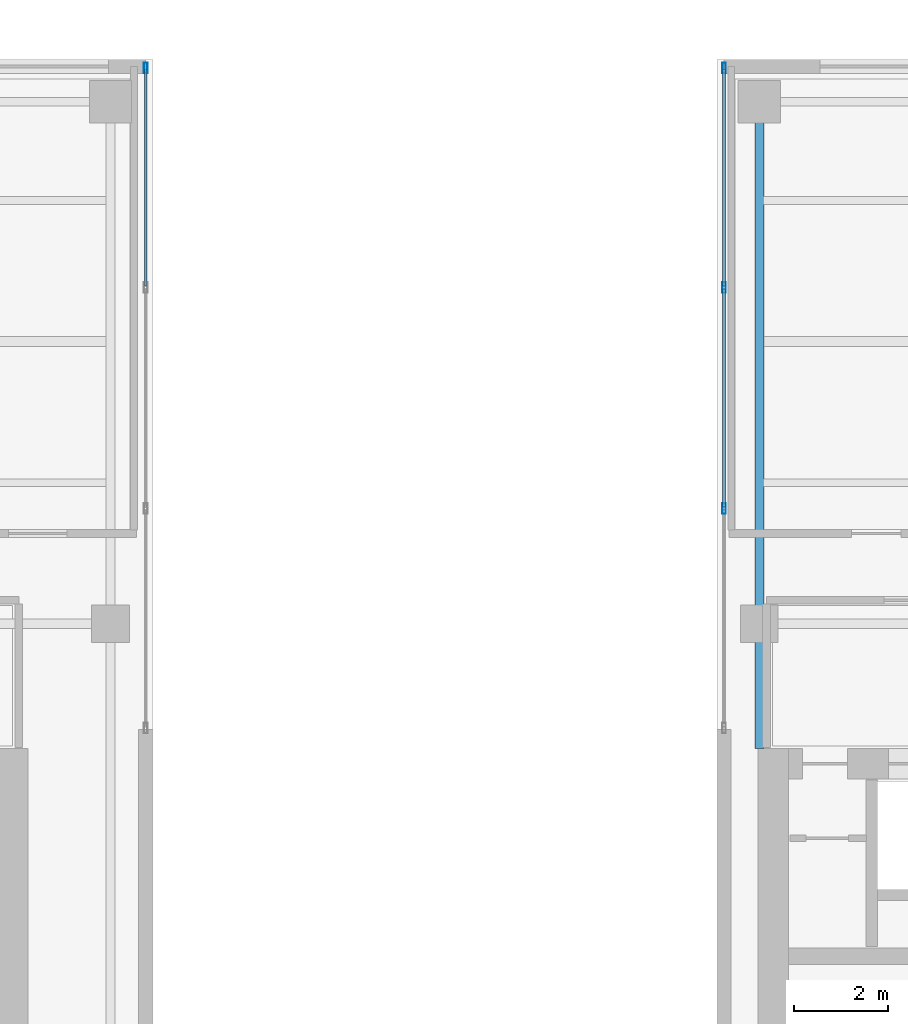
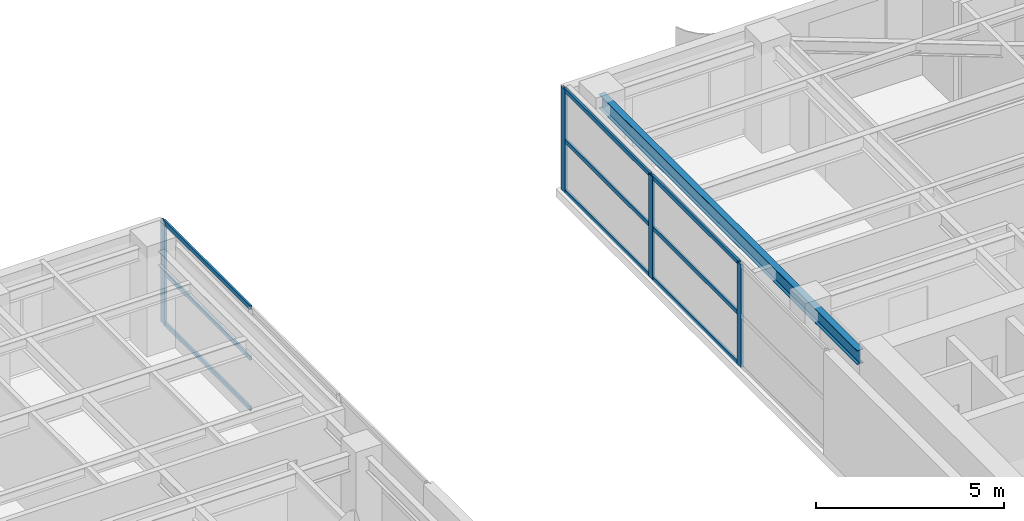
# One storey, part 14 of 22: 13 members, 1 beam, 2 elements without a shape of their own.
"""IFC4 building model written with IfcOpenShell, lengths in metres."""

from ifc_helpers import new_model, si_unit, direction, frame, origin, origin_2d, place, context, subcontext, project, spatial, hollow_rectangle, i_section, extrude, source, transform, mapped, material, layer, layer_set, material_profile, profile_set, type_object, element, aggregate, save


model = new_model("IFC4")

# Units and contexts
model_context = context("Model", 3, precision=1e-05, world=origin(), true_north=direction((0.0, 1.0)))
body_context = subcontext(model_context, "Body", "Model", "MODEL_VIEW")
ifc_project = project(units=[si_unit("LENGTHUNIT", "METRE"), si_unit("AREAUNIT", "SQUARE_METRE"), si_unit("VOLUMEUNIT", "CUBIC_METRE"), si_unit("PLANEANGLEUNIT", "RADIAN"), si_unit("MASSUNIT", "GRAM", prefix="KILO")], contexts=[model_context])

# Site, building, storey
site_placement = place(None, origin())
site = spatial("IfcSite", under=ifc_project, at=site_placement, CompositionType="ELEMENT")
building_placement = place(site_placement, origin())
building = spatial("IfcBuilding", under=site, at=building_placement, Name="Khoralis Quay Care Tower", CompositionType="ELEMENT")
storey_placement = place(building_placement, frame((0.0, 0.0, 195.300048828125)))
storey = spatial("IfcBuildingStorey", under=building, at=storey_placement, Name="L51", CompositionType="ELEMENT", Elevation=195.300048828125)

# Beam
ifc_material_1 = material(Name="Steel S355", Category="steel")
ifc_material_profile_1 = material_profile(ifc_material_1, i_section(OverallWidth=0.19189453125, OverallDepth=0.462890625, WebThickness=0.010498046875, FlangeThickness=0.017578125, FilletRadius=0.014892578125, at=origin_2d()), Name="Steel S355")
ifc_profile_set_1 = profile_set([ifc_material_profile_1], Name="Steel S355")
beam_type = type_object("IfcBeamType", Name="BM-W460X89", PredefinedType="BEAM", material=ifc_profile_set_1)
shared_shape_1 = source(origin(), body_context, "Body", "SweptSolid", [
    extrude(i_section(OverallWidth=0.19189453125, OverallDepth=0.462890625, WebThickness=0.010498046875, FlangeThickness=0.017578125, FilletRadius=0.014892578125, at=origin_2d()), origin(), (0.0, 0.0, 1.0), 13.752197265625),
])
beam_placement = place(storey_placement, frame((30.89990234375, 27.347900390625, 3.1083984375), z_axis=(0.0, 1.0, 0.0), x_axis=(-1.0, 0.0, 0.0)))
element("IfcBeam", 1, at=beam_placement, inside=storey, type_object=beam_type, Name="BM-TGYN-L51-309", PredefinedType="BEAM", context=body_context, shape_type="MappedRepresentation", body=[
    mapped(shared_shape_1, transform((0.0, 0.0, 0.0), scale=1.0)),
])

# Curtain wall, members
ifc_material_2 = material(Name="Pale anodised aluminium", Category="aluminium")
ifc_layer = layer(ifc_material_2, 0.18994140625)
ifc_layer_set = layer_set([ifc_layer], Name="Pale anodised aluminium")
curtain_wall_type = type_object("IfcCurtainWallType", Name="CW-SYS-PORTAL", PredefinedType="NOTDEFINED", material=ifc_layer_set)
curtain_wall_1_placement = place(storey_placement, origin())
curtain_wall_1 = element("IfcCurtainWall", 2, at=curtain_wall_1_placement, inside=storey, type_object=curtain_wall_type, Name="L51 Unitised Curtain Wall CW-VP-L51-P1-N", PredefinedType="NOTDEFINED")
ifc_material_profile_2 = material_profile(ifc_material_2, hollow_rectangle(XDim=0.06005859375, YDim=0.139892578125, WallThickness=0.00390625, at=origin_2d()), Name="Pale anodised aluminium")
ifc_profile_set_2 = profile_set([ifc_material_profile_2], Name="Pale anodised aluminium")
member_type_1 = type_object("IfcMemberType", Name="CW-TRN-140", PredefinedType="USERDEFINED", material=ifc_profile_set_2)
shared_shape_2 = source(origin(), body_context, "Body", "SweptSolid", [
    extrude(hollow_rectangle(XDim=0.06005859375, YDim=0.139892578125, WallThickness=0.00390625, at=origin_2d()), origin(), (0.0, 0.0, 1.0), 4.610107421875),
])
member_1_placement = place(storey_placement, frame((17.85009765625, 37.179931640625, 0.030029296875), z_axis=(0.0, 1.0, 0.0), x_axis=(-1.0, 0.0, 0.0)))
member_1 = element("IfcMember", 3, at=member_1_placement, type_object=member_type_1, Name="CW4 transom 3.1", ObjectType="TRANSOM", PredefinedType="USERDEFINED", context=body_context, shape_type="MappedRepresentation", body=[
    mapped(shared_shape_2, transform((0.0, 0.0, 0.0), scale=1.0)),
])
member_2_placement = place(storey_placement, frame((17.85009765625, 37.179931640625, 1.669921875), z_axis=(0.0, 1.0, 0.0), x_axis=(-1.0, 0.0, 0.0)))
member_2 = element("IfcMember", 4, at=member_2_placement, type_object=member_type_1, Name="CW4 transom 3.2", ObjectType="TRANSOM", PredefinedType="USERDEFINED", context=body_context, shape_type="MappedRepresentation", body=[
    mapped(shared_shape_2, transform((0.0, 0.0, 0.0), scale=1.0)),
])
member_3_placement = place(storey_placement, frame((17.85009765625, 37.179931640625, 3.31005859375), z_axis=(0.0, 1.0, 0.0), x_axis=(-1.0, 0.0, 0.0)))
member_3 = element("IfcMember", 5, at=member_3_placement, type_object=member_type_1, Name="CW4 transom 3.3", ObjectType="TRANSOM", PredefinedType="USERDEFINED", context=body_context, shape_type="MappedRepresentation", body=[
    mapped(shared_shape_2, transform((0.0, 0.0, 0.0), scale=1.0)),
])

curtain_wall_2_placement = place(storey_placement, origin())
curtain_wall_2 = element("IfcCurtainWall", 6, at=curtain_wall_2_placement, inside=storey, type_object=curtain_wall_type, Name="L51 Unitised Curtain Wall CW-VP-L51-P2-N", PredefinedType="NOTDEFINED")
member_4_placement = place(storey_placement, frame((30.14990234375, 37.179931640625, 0.030029296875), z_axis=(0.0, 1.0, 0.0), x_axis=(-1.0, 0.0, 0.0)))
member_4 = element("IfcMember", 7, at=member_4_placement, type_object=member_type_1, Name="CW4 transom 3.1", ObjectType="TRANSOM", PredefinedType="USERDEFINED", context=body_context, shape_type="MappedRepresentation", body=[
    mapped(shared_shape_2, transform((0.0, 0.0, 0.0), scale=1.0)),
])
member_5_placement = place(storey_placement, frame((30.14990234375, 37.179931640625, 1.669921875), z_axis=(0.0, 1.0, 0.0), x_axis=(-1.0, 0.0, 0.0)))
member_5 = element("IfcMember", 8, at=member_5_placement, type_object=member_type_1, Name="CW4 transom 3.2", ObjectType="TRANSOM", PredefinedType="USERDEFINED", context=body_context, shape_type="MappedRepresentation", body=[
    mapped(shared_shape_2, transform((0.0, 0.0, 0.0), scale=1.0)),
])
member_6_placement = place(storey_placement, frame((30.14990234375, 37.179931640625, 3.31005859375), z_axis=(0.0, 1.0, 0.0), x_axis=(-1.0, 0.0, 0.0)))
member_6 = element("IfcMember", 9, at=member_6_placement, type_object=member_type_1, Name="CW4 transom 3.3", ObjectType="TRANSOM", PredefinedType="USERDEFINED", context=body_context, shape_type="MappedRepresentation", body=[
    mapped(shared_shape_2, transform((0.0, 0.0, 0.0), scale=1.0)),
])
shared_shape_3 = source(origin(), body_context, "Body", "SweptSolid", [
    extrude(hollow_rectangle(XDim=0.06005859375, YDim=0.139892578125, WallThickness=0.00390625, at=origin_2d()), origin(), (0.0, 0.0, 1.0), 4.64013671875),
])
member_7_placement = place(storey_placement, frame((30.14990234375, 32.47998046875, 0.030029296875), z_axis=(0.0, 1.0, 0.0), x_axis=(-1.0, 0.0, 0.0)))
member_7 = element("IfcMember", 10, at=member_7_placement, type_object=member_type_1, Name="CW4 transom 2.1", ObjectType="TRANSOM", PredefinedType="USERDEFINED", context=body_context, shape_type="MappedRepresentation", body=[
    mapped(shared_shape_3, transform((0.0, 0.0, 0.0), scale=1.0)),
])
member_8_placement = place(storey_placement, frame((30.14990234375, 32.47998046875, 1.669921875), z_axis=(0.0, 1.0, 0.0), x_axis=(-1.0, 0.0, 0.0)))
member_8 = element("IfcMember", 11, at=member_8_placement, type_object=member_type_1, Name="CW4 transom 2.2", ObjectType="TRANSOM", PredefinedType="USERDEFINED", context=body_context, shape_type="MappedRepresentation", body=[
    mapped(shared_shape_3, transform((0.0, 0.0, 0.0), scale=1.0)),
])
member_9_placement = place(storey_placement, frame((30.14990234375, 32.47998046875, 3.31005859375), z_axis=(0.0, 1.0, 0.0), x_axis=(-1.0, 0.0, 0.0)))
member_9 = element("IfcMember", 12, at=member_9_placement, type_object=member_type_1, Name="CW4 transom 2.3", ObjectType="TRANSOM", PredefinedType="USERDEFINED", context=body_context, shape_type="MappedRepresentation", body=[
    mapped(shared_shape_3, transform((0.0, 0.0, 0.0), scale=1.0)),
])

# Member
ifc_material_profile_3 = material_profile(ifc_material_2, hollow_rectangle(XDim=0.074951171875, YDim=0.219970703125, WallThickness=0.00390625, at=origin_2d()), Name="Pale anodised aluminium")
ifc_profile_set_3 = profile_set([ifc_material_profile_3], Name="Pale anodised aluminium")
member_type_2 = type_object("IfcMemberType", Name="CW-MUL-220", PredefinedType="MULLION", material=ifc_profile_set_3)
shared_shape_4 = source(origin(), body_context, "Body", "SweptSolid", [
    extrude(hollow_rectangle(XDim=0.074951171875, YDim=0.219970703125, WallThickness=0.00390625, at=origin_2d()), origin(), (0.0, 0.0, 1.0), 3.33984375),
])
member_10_placement = place(storey_placement, frame((17.85009765625, 41.820068359375, 0.0), z_axis=(0.0, 0.0, 1.0), x_axis=(-1.0, 0.0, 0.0)))
member_10 = element("IfcMember", 13, at=member_10_placement, type_object=member_type_2, Name="CW4 mullion 4", PredefinedType="MULLION", context=body_context, shape_type="MappedRepresentation", body=[
    mapped(shared_shape_4, transform((0.0, 0.0, 0.0), scale=1.0)),
])

aggregate(curtain_wall_1, [member_10, member_1, member_2, member_3])

member_11_placement = place(storey_placement, frame((30.14990234375, 32.449951171875, 0.0), z_axis=(0.0, 0.0, 1.0), x_axis=(-1.0, 0.0, 0.0)))
member_11 = element("IfcMember", 14, at=member_11_placement, type_object=member_type_2, Name="CW4 mullion 2", PredefinedType="MULLION", context=body_context, shape_type="MappedRepresentation", body=[
    mapped(shared_shape_4, transform((0.0, 0.0, 0.0), scale=1.0)),
])

member_12_placement = place(storey_placement, frame((30.14990234375, 37.14990234375, 0.0), z_axis=(0.0, 0.0, 1.0), x_axis=(-1.0, 0.0, 0.0)))
member_12 = element("IfcMember", 15, at=member_12_placement, type_object=member_type_2, Name="CW4 mullion 3", PredefinedType="MULLION", context=body_context, shape_type="MappedRepresentation", body=[
    mapped(shared_shape_4, transform((0.0, 0.0, 0.0), scale=1.0)),
])

member_13_placement = place(storey_placement, frame((30.14990234375, 41.820068359375, 0.0), z_axis=(0.0, 0.0, 1.0), x_axis=(-1.0, 0.0, 0.0)))
member_13 = element("IfcMember", 16, at=member_13_placement, type_object=member_type_2, Name="CW4 mullion 4", PredefinedType="MULLION", context=body_context, shape_type="MappedRepresentation", body=[
    mapped(shared_shape_4, transform((0.0, 0.0, 0.0), scale=1.0)),
])

aggregate(curtain_wall_2, [member_11, member_12, member_13, member_7, member_8, member_9, member_4, member_5, member_6])

save(model, "model.ifc")
